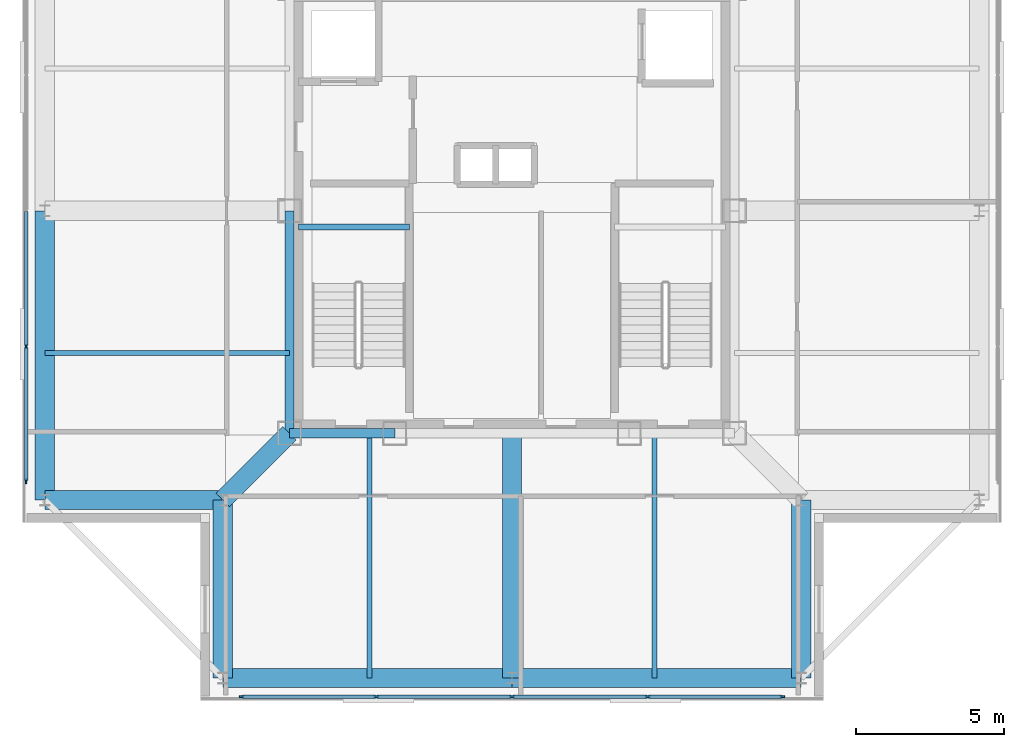
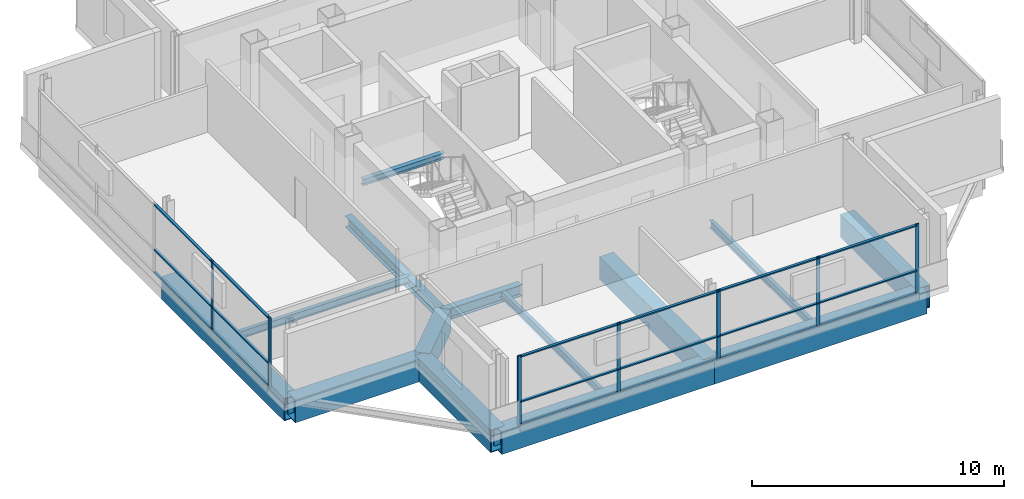
# One storey, part 2 of 11: 25 members, 14 beams, 2 elements without a shape of their own.
"""IFC4 building model written with IfcOpenShell, lengths in metres."""

from ifc_helpers import new_model, si_unit, direction, frame, origin, origin_2d, place, context, subcontext, project, spatial, rectangle, hollow_rectangle, i_section, extrude, material, layer, layer_set, material_profile, profile_set, type_object, element, aggregate, save


model = new_model("IFC4")

# Units and contexts
model_context = context("Model", 3, precision=1e-05, world=origin(), true_north=direction((0.0, 1.0)))
body_context = subcontext(model_context, "Body", "Model", "MODEL_VIEW")
ifc_project = project(units=[si_unit("LENGTHUNIT", "METRE"), si_unit("AREAUNIT", "SQUARE_METRE"), si_unit("VOLUMEUNIT", "CUBIC_METRE"), si_unit("PLANEANGLEUNIT", "RADIAN"), si_unit("MASSUNIT", "GRAM", prefix="KILO")], contexts=[model_context])

# Site, building, storey
site_placement = place(None, origin())
site = spatial("IfcSite", under=ifc_project, at=site_placement, CompositionType="ELEMENT")
building_placement = place(site_placement, origin())
building = spatial("IfcBuilding", under=site, at=building_placement, Name="Trevonay Congress Spire", CompositionType="ELEMENT")
storey_placement = place(building_placement, frame((0.0, 0.0, 312.199951171875)))
storey = spatial("IfcBuildingStorey", under=building, at=storey_placement, Name="L82", CompositionType="ELEMENT", Elevation=312.199951171875)

# Beams
ifc_material_1 = material(Name="Steel ASTM A572 Grade 50", Category="steel")
ifc_material_profile_1 = material_profile(ifc_material_1, i_section(OverallWidth=0.31201171875, OverallDepth=0.54296875, WebThickness=0.0126953125, FlangeThickness=0.020263671875, FilletRadius=0.014892578125, at=origin_2d()), Name="W530x150")
ifc_profile_set_1 = profile_set([ifc_material_profile_1], Name="Steel ASTM A572 Grade 50")
beam_type_1 = type_object("IfcBeamType", Name="BM-GIRD-W530X150", PredefinedType="BEAM", material=ifc_profile_set_1)
beam_1_placement = place(storey_placement, frame((-7.5, -7.5, -0.551513671875), z_axis=(1.0, 0.0, 0.0), x_axis=(0.0, 1.0, 0.0)))
element("IfcBeam", 1, at=beam_1_placement, inside=storey, type_object=beam_type_1, Name="L82 structural beam BM-L82-CR-S1", PredefinedType="BEAM", context=body_context, shape_type="SweptSolid", body=[
    extrude(i_section(OverallWidth=0.31201171875, OverallDepth=0.54296875, WebThickness=0.0126953125, FlangeThickness=0.020263671875, FilletRadius=0.014892578125, at=origin_2d()), origin(), (0.0, 0.0, 1.0), 3.550048828125),
])
beam_2_placement = place(storey_placement, frame((-7.5, -7.5, -0.551513671875), z_axis=(0.0, 1.0, 0.0), x_axis=(-1.0, 0.0, 0.0)))
element("IfcBeam", 2, at=beam_2_placement, inside=storey, type_object=beam_type_1, Name="L82 structural beam BM-L82-CR-W1", PredefinedType="BEAM", context=body_context, shape_type="SweptSolid", body=[
    extrude(i_section(OverallWidth=0.31201171875, OverallDepth=0.54296875, WebThickness=0.0126953125, FlangeThickness=0.020263671875, FilletRadius=0.014892578125, at=origin_2d()), origin(), (0.0, 0.0, 1.0), 7.5),
])
ifc_material_profile_2 = material_profile(ifc_material_1, hollow_rectangle(XDim=0.64990234375, YDim=1.10009765625, WallThickness=0.044921875, at=origin_2d()), Name="BOX 1100x650x45")
ifc_profile_set_2 = profile_set([ifc_material_profile_2], Name="Steel ASTM A572 Grade 50")
beam_type_2 = type_object("IfcBeamType", Name="BM-RING-BOX1100", PredefinedType="BEAM", material=ifc_profile_set_2)
for number, where, z_axis, x_axis, name in (
    (3, (-9.75, -15.75, -0.829833984375), (1.0, 0.0, 0.0), (0.0, 1.0, 0.0), "L82 structural beam BM-L82-PS1"),
    (4, (-15.75, -9.75, -0.829833984375), (0.0, 1.0, 0.0), (-1.0, 0.0, 0.0), "L82 structural beam BM-L82-PW1"),
    (5, (0.0, -15.75, -0.829833984375), (1.0, 0.0, 0.0), (0.0, 1.0, 0.0), "L82 structural beam BM-L82-PS2"),
):
    element("IfcBeam", number, at=place(storey_placement, frame(where, z_axis=z_axis, x_axis=x_axis)), inside=storey, type_object=beam_type_2, Name=name, PredefinedType="BEAM", context=body_context, shape_type="SweptSolid", body=[
        extrude(hollow_rectangle(XDim=0.64990234375, YDim=1.10009765625, WallThickness=0.044921875, at=origin_2d()), origin(), (0.0, 0.0, 1.0), 9.75),
    ])
for number, where, z_axis, x_axis, name in (
    (6, (-9.75, -15.75, -0.829833984375), (0.0, 1.0, 0.0), (-1.0, 0.0, 0.0), "L82 structural beam BM-L82-N1SW"),
    (7, (-15.75, -9.75, -0.829833984375), (1.0, 0.0, 0.0), (0.0, 1.0, 0.0), "L82 structural beam BM-L82-N2SW"),
    (8, (9.75, -15.75, -0.829833984375), (0.0, 1.0, 0.0), (-1.0, 0.0, 0.0), "L82 structural beam BM-L82-N1SE"),
):
    element("IfcBeam", number, at=place(storey_placement, frame(where, z_axis=z_axis, x_axis=x_axis)), inside=storey, type_object=beam_type_2, Name=name, PredefinedType="BEAM", context=body_context, shape_type="SweptSolid", body=[
        extrude(hollow_rectangle(XDim=0.64990234375, YDim=1.10009765625, WallThickness=0.044921875, at=origin_2d()), origin(), (0.0, 0.0, 1.0), 6.0),
    ])
ifc_material_profile_3 = material_profile(ifc_material_1, hollow_rectangle(XDim=0.64990234375, YDim=1.10009765625, WallThickness=0.044921875, at=origin_2d()), Name="BOX 1100x650x45")
ifc_profile_set_3 = profile_set([ifc_material_profile_3], Name="Steel ASTM A572 Grade 50")
beam_type_3 = type_object("IfcBeamType", Name="BM-XFER-BOX1100", PredefinedType="BEAM", material=ifc_profile_set_3)
beam_3_placement = place(storey_placement, frame((-7.5, -7.5, -0.829833984375), z_axis=(-0.707106781187, -0.707106781187, 0.0), x_axis=(0.707106781187, -0.707106781187, 0.0)))
element("IfcBeam", 9, at=beam_3_placement, inside=storey, type_object=beam_type_3, Name="L82 structural beam BM-L82-CDSW", PredefinedType="BEAM", context=body_context, shape_type="SweptSolid", body=[
    extrude(hollow_rectangle(XDim=0.64990234375, YDim=1.10009765625, WallThickness=0.044921875, at=origin_2d()), origin(), (0.0, 0.0, 1.0), 3.181884765625),
])
beam_4_placement = place(storey_placement, frame((0.0, -7.5, -0.829833984375), z_axis=(0.0, -1.0, 0.0), x_axis=(1.0, 0.0, 0.0)))
element("IfcBeam", 10, at=beam_4_placement, inside=storey, type_object=beam_type_3, Name="L82 structural beam BM-L82-GC-S", PredefinedType="BEAM", context=body_context, shape_type="SweptSolid", body=[
    extrude(hollow_rectangle(XDim=0.64990234375, YDim=1.10009765625, WallThickness=0.044921875, at=origin_2d()), origin(), (0.0, 0.0, 1.0), 8.25),
])

# Curtain wall, members
ifc_material_2 = material(Name="Pale Anodised Aluminium EN AW-6063-T6", Category="aluminium")
ifc_layer = layer(ifc_material_2, 0.159912109375, Name="Pale Anodised Aluminium EN AW-6063-T6")
ifc_layer_set = layer_set([ifc_layer], Name="Pale Anodised Aluminium EN AW-6063-T6")
curtain_wall_type = type_object("IfcCurtainWallType", Name="CW-SYS06-CROWN-PALE-METAL", PredefinedType="NOTDEFINED", material=ifc_layer_set)
curtain_wall_1_placement = place(storey_placement, origin())
curtain_wall_1 = element("IfcCurtainWall", 11, at=curtain_wall_1_placement, inside=storey, type_object=curtain_wall_type, Name="L82 S unitised curtain wall", PredefinedType="NOTDEFINED")
ifc_material_profile_4 = material_profile(ifc_material_2, rectangle(XDim=0.06005859375, YDim=0.159912109375, at=origin_2d()), Name="CW-MULLION-160-ALUMINIUM")
ifc_profile_set_4 = profile_set([ifc_material_profile_4], Name="Pale Anodised Aluminium EN AW-6063-T6")
member_type_1 = type_object("IfcMemberType", Name="CW-MULLION-160-ALUMINIUM", PredefinedType="MULLION", material=ifc_profile_set_4)
member_1_placement = place(storey_placement, frame((-9.1201171875, -16.3798828125, 0.0), z_axis=(0.0, 0.0, 1.0), x_axis=(0.0, 1.0, 0.0)))
member_1 = element("IfcMember", 12, at=member_1_placement, type_object=member_type_1, Name="CW06 mullion 1", PredefinedType="MULLION", context=body_context, shape_type="SweptSolid", body=[
    extrude(rectangle(XDim=0.06005859375, YDim=0.159912109375, at=origin_2d()), origin(), (0.0, 0.0, 1.0), 3.400146484375),
])
member_2_placement = place(storey_placement, frame((-4.574951171875, -16.3798828125, 0.0), z_axis=(0.0, 0.0, 1.0), x_axis=(0.0, 1.0, 0.0)))
member_2 = element("IfcMember", 13, at=member_2_placement, type_object=member_type_1, Name="CW06 mullion 2", PredefinedType="MULLION", context=body_context, shape_type="SweptSolid", body=[
    extrude(rectangle(XDim=0.06005859375, YDim=0.159912109375, at=origin_2d()), origin(), (0.0, 0.0, 1.0), 3.400146484375),
])
member_3_placement = place(storey_placement, frame((0.0, -16.3798828125, 0.0), z_axis=(0.0, 0.0, 1.0), x_axis=(0.0, 1.0, 0.0)))
member_3 = element("IfcMember", 14, at=member_3_placement, type_object=member_type_1, Name="CW06 mullion 3", PredefinedType="MULLION", context=body_context, shape_type="SweptSolid", body=[
    extrude(rectangle(XDim=0.06005859375, YDim=0.159912109375, at=origin_2d()), origin(), (0.0, 0.0, 1.0), 3.400146484375),
])
member_4_placement = place(storey_placement, frame((4.574951171875, -16.3798828125, 0.0), z_axis=(0.0, 0.0, 1.0), x_axis=(0.0, 1.0, 0.0)))
member_4 = element("IfcMember", 15, at=member_4_placement, type_object=member_type_1, Name="CW06 mullion 4", PredefinedType="MULLION", context=body_context, shape_type="SweptSolid", body=[
    extrude(rectangle(XDim=0.06005859375, YDim=0.159912109375, at=origin_2d()), origin(), (0.0, 0.0, 1.0), 3.400146484375),
])
member_5_placement = place(storey_placement, frame((9.1201171875, -16.3798828125, 0.0), z_axis=(0.0, 0.0, 1.0), x_axis=(0.0, 1.0, 0.0)))
member_5 = element("IfcMember", 16, at=member_5_placement, type_object=member_type_1, Name="CW06 mullion 5", PredefinedType="MULLION", context=body_context, shape_type="SweptSolid", body=[
    extrude(rectangle(XDim=0.06005859375, YDim=0.159912109375, at=origin_2d()), origin(), (0.0, 0.0, 1.0), 3.400146484375),
])

curtain_wall_2_placement = place(storey_placement, origin())
curtain_wall_2 = element("IfcCurtainWall", 17, at=curtain_wall_2_placement, inside=storey, type_object=curtain_wall_type, Name="L82 W unitised curtain wall", PredefinedType="NOTDEFINED")
member_6_placement = place(storey_placement, frame((-16.3798828125, -9.1201171875, 0.0), z_axis=(0.0, 0.0, 1.0), x_axis=(-1.0, 0.0, 0.0)))
member_6 = element("IfcMember", 18, at=member_6_placement, type_object=member_type_1, Name="CW06 mullion 1", PredefinedType="MULLION", context=body_context, shape_type="SweptSolid", body=[
    extrude(rectangle(XDim=0.06005859375, YDim=0.159912109375, at=origin_2d()), origin(), (0.0, 0.0, 1.0), 3.400146484375),
])
member_7_placement = place(storey_placement, frame((-16.3798828125, -4.574951171875, 0.0), z_axis=(0.0, 0.0, 1.0), x_axis=(-1.0, 0.0, 0.0)))
member_7 = element("IfcMember", 19, at=member_7_placement, type_object=member_type_1, Name="CW06 mullion 2", PredefinedType="MULLION", context=body_context, shape_type="SweptSolid", body=[
    extrude(rectangle(XDim=0.06005859375, YDim=0.159912109375, at=origin_2d()), origin(), (0.0, 0.0, 1.0), 3.400146484375),
])

# Member
ifc_material_profile_5 = material_profile(ifc_material_2, rectangle(XDim=0.1201171875, YDim=0.06005859375, at=origin_2d()), Name="CW-TRANSOM-120-ALUMINIUM")
ifc_profile_set_5 = profile_set([ifc_material_profile_5], Name="Pale Anodised Aluminium EN AW-6063-T6")
member_type_2 = type_object("IfcMemberType", Name="CW-TRANSOM-120-ALUMINIUM", PredefinedType="USERDEFINED", material=ifc_profile_set_5)
member_8_placement = place(storey_placement, frame((-9.090087890625, -16.3798828125, 0.06005859375), z_axis=(1.0, 0.0, 0.0), x_axis=(0.0, 1.0, 0.0)))
member_8 = element("IfcMember", 20, at=member_8_placement, type_object=member_type_2, Name="CW06 transom 1.1", ObjectType="TRANSOM", PredefinedType="USERDEFINED", context=body_context, shape_type="SweptSolid", body=[
    extrude(rectangle(XDim=0.1201171875, YDim=0.06005859375, at=origin_2d()), origin(), (0.0, 0.0, 1.0), 4.485107421875),
])

member_9_placement = place(storey_placement, frame((-9.090087890625, -16.3798828125, 1.156005859375), z_axis=(1.0, 0.0, 0.0), x_axis=(0.0, 1.0, 0.0)))
member_9 = element("IfcMember", 21, at=member_9_placement, type_object=member_type_2, Name="CW06 transom 1.2", ObjectType="TRANSOM", PredefinedType="USERDEFINED", context=body_context, shape_type="SweptSolid", body=[
    extrude(rectangle(XDim=0.1201171875, YDim=0.06005859375, at=origin_2d()), origin(), (0.0, 0.0, 1.0), 4.485107421875),
])

member_10_placement = place(storey_placement, frame((-9.090087890625, -16.3798828125, 3.340087890625), z_axis=(1.0, 0.0, 0.0), x_axis=(0.0, 1.0, 0.0)))
member_10 = element("IfcMember", 22, at=member_10_placement, type_object=member_type_2, Name="CW06 transom 1.3", ObjectType="TRANSOM", PredefinedType="USERDEFINED", context=body_context, shape_type="SweptSolid", body=[
    extrude(rectangle(XDim=0.1201171875, YDim=0.06005859375, at=origin_2d()), origin(), (0.0, 0.0, 1.0), 4.485107421875),
])

member_11_placement = place(storey_placement, frame((-4.544921875, -16.3798828125, 0.06005859375), z_axis=(1.0, 0.0, 0.0), x_axis=(0.0, 1.0, 0.0)))
member_11 = element("IfcMember", 23, at=member_11_placement, type_object=member_type_2, Name="CW06 transom 2.1", ObjectType="TRANSOM", PredefinedType="USERDEFINED", context=body_context, shape_type="SweptSolid", body=[
    extrude(rectangle(XDim=0.1201171875, YDim=0.06005859375, at=origin_2d()), origin(), (0.0, 0.0, 1.0), 4.514892578125),
])

member_12_placement = place(storey_placement, frame((-4.544921875, -16.3798828125, 1.156005859375), z_axis=(1.0, 0.0, 0.0), x_axis=(0.0, 1.0, 0.0)))
member_12 = element("IfcMember", 24, at=member_12_placement, type_object=member_type_2, Name="CW06 transom 2.2", ObjectType="TRANSOM", PredefinedType="USERDEFINED", context=body_context, shape_type="SweptSolid", body=[
    extrude(rectangle(XDim=0.1201171875, YDim=0.06005859375, at=origin_2d()), origin(), (0.0, 0.0, 1.0), 4.514892578125),
])

member_13_placement = place(storey_placement, frame((-4.544921875, -16.3798828125, 3.340087890625), z_axis=(1.0, 0.0, 0.0), x_axis=(0.0, 1.0, 0.0)))
member_13 = element("IfcMember", 25, at=member_13_placement, type_object=member_type_2, Name="CW06 transom 2.3", ObjectType="TRANSOM", PredefinedType="USERDEFINED", context=body_context, shape_type="SweptSolid", body=[
    extrude(rectangle(XDim=0.1201171875, YDim=0.06005859375, at=origin_2d()), origin(), (0.0, 0.0, 1.0), 4.514892578125),
])

member_14_placement = place(storey_placement, frame((0.030029296875, -16.3798828125, 0.06005859375), z_axis=(1.0, 0.0, 0.0), x_axis=(0.0, 1.0, 0.0)))
member_14 = element("IfcMember", 26, at=member_14_placement, type_object=member_type_2, Name="CW06 transom 3.1", ObjectType="TRANSOM", PredefinedType="USERDEFINED", context=body_context, shape_type="SweptSolid", body=[
    extrude(rectangle(XDim=0.1201171875, YDim=0.06005859375, at=origin_2d()), origin(), (0.0, 0.0, 1.0), 4.514892578125),
])

member_15_placement = place(storey_placement, frame((0.030029296875, -16.3798828125, 1.156005859375), z_axis=(1.0, 0.0, 0.0), x_axis=(0.0, 1.0, 0.0)))
member_15 = element("IfcMember", 27, at=member_15_placement, type_object=member_type_2, Name="CW06 transom 3.2", ObjectType="TRANSOM", PredefinedType="USERDEFINED", context=body_context, shape_type="SweptSolid", body=[
    extrude(rectangle(XDim=0.1201171875, YDim=0.06005859375, at=origin_2d()), origin(), (0.0, 0.0, 1.0), 4.514892578125),
])

member_16_placement = place(storey_placement, frame((0.030029296875, -16.3798828125, 3.340087890625), z_axis=(1.0, 0.0, 0.0), x_axis=(0.0, 1.0, 0.0)))
member_16 = element("IfcMember", 28, at=member_16_placement, type_object=member_type_2, Name="CW06 transom 3.3", ObjectType="TRANSOM", PredefinedType="USERDEFINED", context=body_context, shape_type="SweptSolid", body=[
    extrude(rectangle(XDim=0.1201171875, YDim=0.06005859375, at=origin_2d()), origin(), (0.0, 0.0, 1.0), 4.514892578125),
])

member_17_placement = place(storey_placement, frame((4.60498046875, -16.3798828125, 0.06005859375), z_axis=(1.0, 0.0, 0.0), x_axis=(0.0, 1.0, 0.0)))
member_17 = element("IfcMember", 29, at=member_17_placement, type_object=member_type_2, Name="CW06 transom 4.1", ObjectType="TRANSOM", PredefinedType="USERDEFINED", context=body_context, shape_type="SweptSolid", body=[
    extrude(rectangle(XDim=0.1201171875, YDim=0.06005859375, at=origin_2d()), origin(), (0.0, 0.0, 1.0), 4.485107421875),
])

member_18_placement = place(storey_placement, frame((4.60498046875, -16.3798828125, 1.156005859375), z_axis=(1.0, 0.0, 0.0), x_axis=(0.0, 1.0, 0.0)))
member_18 = element("IfcMember", 30, at=member_18_placement, type_object=member_type_2, Name="CW06 transom 4.2", ObjectType="TRANSOM", PredefinedType="USERDEFINED", context=body_context, shape_type="SweptSolid", body=[
    extrude(rectangle(XDim=0.1201171875, YDim=0.06005859375, at=origin_2d()), origin(), (0.0, 0.0, 1.0), 4.485107421875),
])

member_19_placement = place(storey_placement, frame((4.60498046875, -16.3798828125, 3.340087890625), z_axis=(1.0, 0.0, 0.0), x_axis=(0.0, 1.0, 0.0)))
member_19 = element("IfcMember", 31, at=member_19_placement, type_object=member_type_2, Name="CW06 transom 4.3", ObjectType="TRANSOM", PredefinedType="USERDEFINED", context=body_context, shape_type="SweptSolid", body=[
    extrude(rectangle(XDim=0.1201171875, YDim=0.06005859375, at=origin_2d()), origin(), (0.0, 0.0, 1.0), 4.485107421875),
])

aggregate(curtain_wall_1, [member_1, member_2, member_3, member_4, member_5, member_8, member_9, member_10, member_11, member_12, member_13, member_14, member_15, member_16, member_17, member_18, member_19])

member_20_placement = place(storey_placement, frame((-16.3798828125, -9.090087890625, 0.06005859375), z_axis=(0.0, 1.0, 0.0), x_axis=(-1.0, 0.0, 0.0)))
member_20 = element("IfcMember", 32, at=member_20_placement, type_object=member_type_2, Name="CW06 transom 1.1", ObjectType="TRANSOM", PredefinedType="USERDEFINED", context=body_context, shape_type="SweptSolid", body=[
    extrude(rectangle(XDim=0.1201171875, YDim=0.06005859375, at=origin_2d()), origin(), (0.0, 0.0, 1.0), 4.485107421875),
])

member_21_placement = place(storey_placement, frame((-16.3798828125, -9.090087890625, 1.156005859375), z_axis=(0.0, 1.0, 0.0), x_axis=(-1.0, 0.0, 0.0)))
member_21 = element("IfcMember", 33, at=member_21_placement, type_object=member_type_2, Name="CW06 transom 1.2", ObjectType="TRANSOM", PredefinedType="USERDEFINED", context=body_context, shape_type="SweptSolid", body=[
    extrude(rectangle(XDim=0.1201171875, YDim=0.06005859375, at=origin_2d()), origin(), (0.0, 0.0, 1.0), 4.485107421875),
])

member_22_placement = place(storey_placement, frame((-16.3798828125, -9.090087890625, 3.340087890625), z_axis=(0.0, 1.0, 0.0), x_axis=(-1.0, 0.0, 0.0)))
member_22 = element("IfcMember", 34, at=member_22_placement, type_object=member_type_2, Name="CW06 transom 1.3", ObjectType="TRANSOM", PredefinedType="USERDEFINED", context=body_context, shape_type="SweptSolid", body=[
    extrude(rectangle(XDim=0.1201171875, YDim=0.06005859375, at=origin_2d()), origin(), (0.0, 0.0, 1.0), 4.485107421875),
])

member_23_placement = place(storey_placement, frame((-16.3798828125, -4.544921875, 0.06005859375), z_axis=(0.0, 1.0, 0.0), x_axis=(-1.0, 0.0, 0.0)))
member_23 = element("IfcMember", 35, at=member_23_placement, type_object=member_type_2, Name="CW06 transom 2.1", ObjectType="TRANSOM", PredefinedType="USERDEFINED", context=body_context, shape_type="SweptSolid", body=[
    extrude(rectangle(XDim=0.1201171875, YDim=0.06005859375, at=origin_2d()), origin(), (0.0, 0.0, 1.0), 4.514892578125),
])

member_24_placement = place(storey_placement, frame((-16.3798828125, -4.544921875, 1.156005859375), z_axis=(0.0, 1.0, 0.0), x_axis=(-1.0, 0.0, 0.0)))
member_24 = element("IfcMember", 36, at=member_24_placement, type_object=member_type_2, Name="CW06 transom 2.2", ObjectType="TRANSOM", PredefinedType="USERDEFINED", context=body_context, shape_type="SweptSolid", body=[
    extrude(rectangle(XDim=0.1201171875, YDim=0.06005859375, at=origin_2d()), origin(), (0.0, 0.0, 1.0), 4.514892578125),
])

member_25_placement = place(storey_placement, frame((-16.3798828125, -4.544921875, 3.340087890625), z_axis=(0.0, 1.0, 0.0), x_axis=(-1.0, 0.0, 0.0)))
member_25 = element("IfcMember", 37, at=member_25_placement, type_object=member_type_2, Name="CW06 transom 2.3", ObjectType="TRANSOM", PredefinedType="USERDEFINED", context=body_context, shape_type="SweptSolid", body=[
    extrude(rectangle(XDim=0.1201171875, YDim=0.06005859375, at=origin_2d()), origin(), (0.0, 0.0, 1.0), 4.514892578125),
])

aggregate(curtain_wall_2, [member_6, member_7, member_20, member_21, member_22, member_23, member_24, member_25])

# Beams
ifc_material_profile_6 = material_profile(ifc_material_1, i_section(OverallWidth=0.172119140625, OverallDepth=0.35791015625, WebThickness=0.0078125, FlangeThickness=0.01318359375, FilletRadius=0.011962890625, at=origin_2d()), Name="W360x57.8")
ifc_profile_set_6 = profile_set([ifc_material_profile_6], Name="Steel ASTM A572 Grade 50")
beam_type_4 = type_object("IfcBeamType", Name="JS-COMP-W360X57", PredefinedType="JOIST", material=ifc_profile_set_6)
for number, where, z_axis, x_axis, name in (
    (38, (-4.800048828125, -15.75, -0.458984375), (0.0, 1.0, 0.0), (-1.0, 0.0, 0.0), "L82 structural beam JS-L82-NS-S1"),
    (39, (-15.75, -4.800048828125, -0.458984375), (1.0, 0.0, 0.0), (0.0, 1.0, 0.0), "L82 structural beam JS-L82-EW-W1"),
    (40, (4.800048828125, -15.75, -0.458984375), (0.0, 1.0, 0.0), (-1.0, 0.0, 0.0), "L82 structural beam JS-L82-NS-S3"),
):
    element("IfcBeam", number, at=place(storey_placement, frame(where, z_axis=z_axis, x_axis=x_axis)), inside=storey, type_object=beam_type_4, Name=name, PredefinedType="JOIST", context=body_context, shape_type="SweptSolid", body=[
        extrude(i_section(OverallWidth=0.172119140625, OverallDepth=0.35791015625, WebThickness=0.0078125, FlangeThickness=0.01318359375, FilletRadius=0.011962890625, at=origin_2d()), origin(), (0.0, 0.0, 1.0), 8.25),
    ])
ifc_material_profile_7 = material_profile(ifc_material_1, i_section(OverallWidth=0.2041015625, OverallDepth=0.305908203125, WebThickness=0.008544921875, FlangeThickness=0.0146484375, FilletRadius=0.010986328125, at=origin_2d()), Name="W310x67")
ifc_profile_set_7 = profile_set([ifc_material_profile_7], Name="Steel ASTM A572 Grade 50")
beam_type_5 = type_object("IfcBeamType", Name="LN-CORE-W310X67", PredefinedType="LINTEL", material=ifc_profile_set_7)
beam_5_placement = place(storey_placement, frame((-7.199951171875, -0.550048828125, 1.547119140625), z_axis=(1.0, 0.0, 0.0), x_axis=(0.0, 1.0, 0.0)))
element("IfcBeam", 41, at=beam_5_placement, inside=storey, type_object=beam_type_5, Name="L82 structural beam BM-L82-HL-ST1", PredefinedType="LINTEL", context=body_context, shape_type="SweptSolid", body=[
    extrude(i_section(OverallWidth=0.2041015625, OverallDepth=0.305908203125, WebThickness=0.008544921875, FlangeThickness=0.0146484375, FilletRadius=0.010986328125, at=origin_2d()), origin(), (0.0, 0.0, 1.0), 3.75),
])

save(model, "model.ifc")
